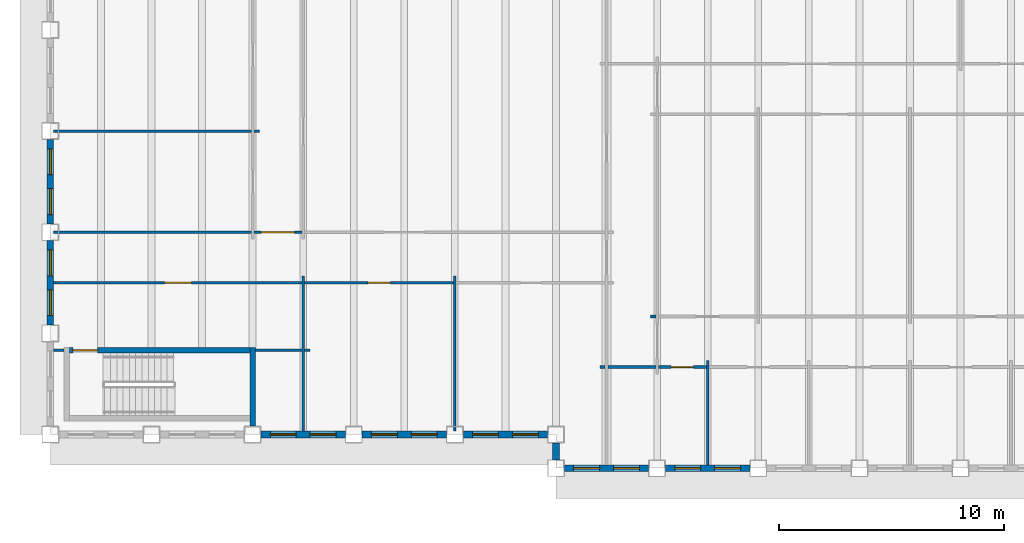
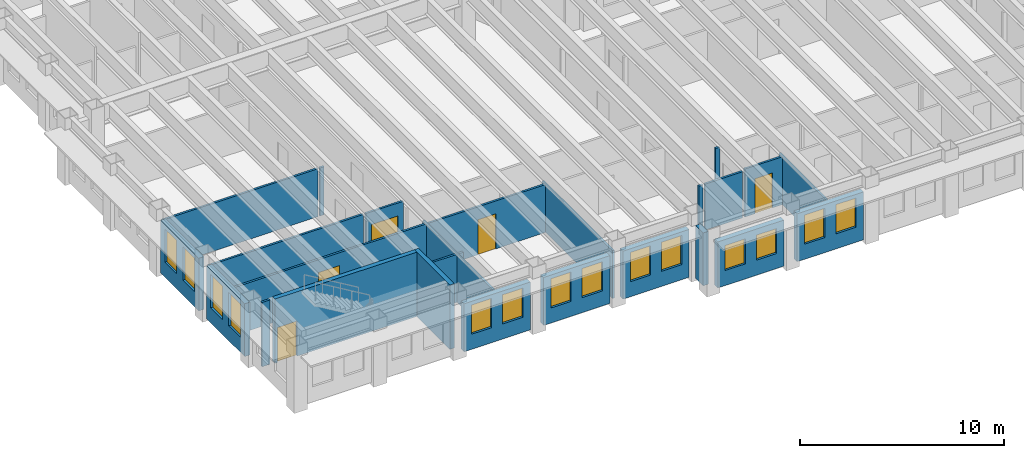
# One storey, part 3 of 16: 26 walls, 14 windows, 5 doors, 19 openings.
"""IFC4 building model written with IfcOpenShell, lengths in metres."""

from ifc_helpers import new_model, si_unit, direction, frame, frame_2d, origin, place, context, subcontext, project, spatial, rectangle, extrude, material, layer, layer_set, type_object, element, fill, save


model = new_model("IFC4")

# Units and contexts
model_context = context("Model", 3, precision=1e-05, world=origin(), true_north=direction((0.0, 1.0)))
body_context = subcontext(model_context, "Body", "Model", "MODEL_VIEW")
ifc_project = project(units=[si_unit("LENGTHUNIT", "METRE"), si_unit("AREAUNIT", "SQUARE_METRE"), si_unit("VOLUMEUNIT", "CUBIC_METRE"), si_unit("PLANEANGLEUNIT", "RADIAN"), si_unit("MASSUNIT", "GRAM", prefix="KILO")], contexts=[model_context])

# Site, building, storey
site_placement = place(None, origin())
site = spatial("IfcSite", under=ifc_project, at=site_placement, CompositionType="ELEMENT")
building_placement = place(site_placement, origin())
building = spatial("IfcBuilding", under=site, at=building_placement, Name="Sennacour Bend Tower", CompositionType="ELEMENT")
storey_placement = place(building_placement, frame((0.0, 0.0, 223.0)))
storey = spatial("IfcBuildingStorey", under=building, at=storey_placement, Name="L51", CompositionType="ELEMENT", Elevation=223.0)

# Walls
ifc_material_1 = material(Name="Plasterboard partition on steel studs", Category="steel")
ifc_layer_1 = layer(ifc_material_1, 0.1201171875, Name="Plasterboard partition on steel studs", Category="steel")
ifc_layer_set_1 = layer_set([ifc_layer_1], Name="Plasterboard partition on steel studs")
wall_type_1 = type_object("IfcWallType", Name="Partition 120", PredefinedType="PARTITIONING", material=ifc_layer_set_1)
for number, where, z_axis, x_axis, name in (
    (1, (11.25, 0.14990234375, 0.0), (0.0, 0.0, 1.0), (0.0, 1.0, 0.0), "P-L51-W014a"),
    (2, (18.0, 0.14990234375, 0.0), (0.0, 0.0, 1.0), (0.0, 1.0, 0.0), "P-L51-W020a"),
):
    element("IfcWall", number, at=place(storey_placement, frame(where, z_axis=z_axis, x_axis=x_axis)), inside=storey, type_object=wall_type_1, Name=name, PredefinedType="PARTITIONING", context=body_context, shape_type="SweptSolid", body=[
        extrude(rectangle(XDim=6.900146484375, YDim=0.1201171875, at=frame_2d((3.4501953125, 0.0))), origin(), (0.0, 0.0, 1.0), 2.8701171875),
    ])
wall_1_placement = place(storey_placement, frame((29.25, -1.35009765625, 0.0), z_axis=(0.0, 0.0, 1.0), x_axis=(0.0, 1.0, 0.0)))
element("IfcWall", 3, at=wall_1_placement, inside=storey, type_object=wall_type_1, Name="P-L51-W028a", PredefinedType="PARTITIONING", context=body_context, shape_type="SweptSolid", body=[
    extrude(rectangle(XDim=4.650146484375, YDim=0.1201171875, at=frame_2d((2.3251953125, 0.0))), origin(), (0.0, 0.0, 1.0), 2.8701171875),
])
wall_2_placement = place(storey_placement, frame((24.449951171875, 3.0, 0.0), z_axis=(0.0, 0.0, 1.0), x_axis=(1.0, 0.0, 0.0)))
element("IfcWall", 4, at=wall_2_placement, inside=storey, type_object=wall_type_1, Name="P-L51-W054aa", PredefinedType="PARTITIONING", context=body_context, shape_type="SweptSolid", body=[
    extrude(rectangle(XDim=0.239990234375, YDim=0.1201171875, at=frame_2d((0.1201171875, 0.0))), origin(), (0.0, 0.0, 1.0), 2.760009765625),
])
wall_3_placement = place(storey_placement, frame((24.81005859375, 3.0, 0.0), z_axis=(0.0, 0.0, 1.0), x_axis=(1.0, 0.0, 0.0)))
element("IfcWall", 5, at=wall_3_placement, inside=storey, type_object=wall_type_1, Name="P-L51-W054ab", PredefinedType="PARTITIONING", context=body_context, shape_type="SweptSolid", body=[
    extrude(rectangle(XDim=2.1298828125, YDim=0.1201171875, at=frame_2d((1.06494140625, 0.0))), origin(), (0.0, 0.0, 1.0), 2.760009765625),
])

# Wall, opening, door
wall_4_placement = place(storey_placement, frame((27.06005859375, 3.0, 0.0), z_axis=(0.0, 0.0, 1.0), x_axis=(1.0, 0.0, 0.0)))
wall_4 = element("IfcWall", 6, at=wall_4_placement, inside=storey, type_object=wall_type_1, Name="P-L51-W054ac", PredefinedType="PARTITIONING", context=body_context, shape_type="SweptSolid", body=[
    extrude(rectangle(XDim=2.1298828125, YDim=0.1201171875, at=frame_2d((1.06494140625, 0.0))), origin(), (0.0, 0.0, 1.0), 2.8701171875),
])
opening_1_placement = place(wall_4_placement, frame((0.56494140625, 0.0, 0.0)))
opening_1 = element("IfcOpeningElement", 7, at=opening_1_placement, cuts=wall_4, Name="Opening OD2", PredefinedType="OPENING", context=body_context, shape_type="SweptSolid", body=[
    extrude(rectangle(XDim=1.0, YDim=2.10009765625, at=frame_2d((0.5, 1.050048828125))), frame((0.0, 0.070068359375, 0.0), z_axis=(0.0, -1.0, 0.0), x_axis=(1.0, 0.0, 0.0)), (0.0, 0.0, 1.0), 0.14013671875),
])
ifc_material_2 = material(Name="Timber", Category="wood")
door_type_1 = type_object("IfcDoorType", Name="DR-OFFICE-1000", OperationType="NOTDEFINED", PredefinedType="DOOR", material=ifc_material_2)
door_1_placement = place(opening_1_placement, origin())
door_1 = element("IfcDoor", 8, at=door_1_placement, inside=storey, type_object=door_type_1, Name="Door", OperationType="SINGLE_SWING_LEFT", OverallHeight=2.10009765625, OverallWidth=1.0, PredefinedType="DOOR", context=body_context, shape_type="SweptSolid", body=[
    extrude(rectangle(XDim=1.0, YDim=2.10009765625, at=frame_2d((0.5, 1.050048828125))), frame((0.0, 0.02490234375, 0.0), z_axis=(0.0, -1.0, 0.0), x_axis=(1.0, 0.0, 0.0)), (0.0, 0.0, 1.0), 0.050048828125),
])
fill(opening_1, door_1)

# Walls
wall_5_placement = place(storey_placement, frame((0.14990234375, 3.75, 0.0), z_axis=(0.0, 0.0, 1.0), x_axis=(1.0, 0.0, 0.0)))
element("IfcWall", 9, at=wall_5_placement, inside=storey, type_object=wall_type_1, Name="P-L51-W055a", PredefinedType="PARTITIONING", context=body_context, shape_type="SweptSolid", body=[
    extrude(rectangle(XDim=0.4501953125, YDim=0.1201171875, at=frame_2d((0.22509765625, 0.0))), origin(), (0.0, 0.0, 1.0), 3.85009765625),
])
wall_6_placement = place(storey_placement, frame((9.125, 3.75, 0.0), z_axis=(0.0, 0.0, 1.0), x_axis=(1.0, 0.0, 0.0)))
element("IfcWall", 10, at=wall_6_placement, inside=storey, type_object=wall_type_1, Name="P-L51-W057aa", PredefinedType="PARTITIONING", context=body_context, shape_type="SweptSolid", body=[
    extrude(rectangle(XDim=2.06494140625, YDim=0.1201171875, at=frame_2d((1.032470703125, 0.0))), origin(), (0.0, 0.0, 1.0), 2.8701171875),
])
for number, where, z_axis, x_axis, name in (
    (11, (11.31005859375, 3.75, 0.0), (0.0, 0.0, 1.0), (1.0, 0.0, 0.0), "P-L51-W057ab"),
    (12, (26.699951171875, 5.25, 0.0), (0.0, 0.0, 1.0), (1.0, 0.0, 0.0), "P-L51-W060aa"),
):
    element("IfcWall", number, at=place(storey_placement, frame(where, z_axis=z_axis, x_axis=x_axis)), inside=storey, type_object=wall_type_1, Name=name, PredefinedType="PARTITIONING", context=body_context, shape_type="SweptSolid", body=[
        extrude(rectangle(XDim=0.239990234375, YDim=0.1201171875, at=frame_2d((0.1201171875, 0.0))), origin(), (0.0, 0.0, 1.0), 2.8701171875),
    ])

# Wall, opening, door
wall_7_placement = place(storey_placement, frame((11.31005859375, 6.75, 0.0), z_axis=(0.0, 0.0, 1.0), x_axis=(1.0, 0.0, 0.0)))
wall_7 = element("IfcWall", 13, at=wall_7_placement, inside=storey, type_object=wall_type_1, Name="P-L51-W062ab", PredefinedType="PARTITIONING", context=body_context, shape_type="SweptSolid", body=[
    extrude(rectangle(XDim=6.6298828125, YDim=0.1201171875, at=frame_2d((3.31494140625, 0.0))), origin(), (0.0, 0.0, 1.0), 2.8701171875),
])
opening_2_placement = place(wall_7_placement, frame((2.81494140625, 0.0, 0.0)))
opening_2 = element("IfcOpeningElement", 14, at=opening_2_placement, cuts=wall_7, Name="Opening OD2", PredefinedType="OPENING", context=body_context, shape_type="SweptSolid", body=[
    extrude(rectangle(XDim=1.0, YDim=2.10009765625, at=frame_2d((0.5, 1.050048828125))), frame((0.0, 0.070068359375, 0.0), z_axis=(0.0, -1.0, 0.0), x_axis=(1.0, 0.0, 0.0)), (0.0, 0.0, 1.0), 0.14013671875),
])
door_2_placement = place(opening_2_placement, origin())
door_2 = element("IfcDoor", 15, at=door_2_placement, inside=storey, type_object=door_type_1, Name="Door", OperationType="SINGLE_SWING_LEFT", OverallHeight=2.10009765625, OverallWidth=1.0, PredefinedType="DOOR", context=body_context, shape_type="SweptSolid", body=[
    extrude(rectangle(XDim=1.0, YDim=2.10009765625, at=frame_2d((0.5, 1.050048828125))), frame((0.0, 0.02490234375, 0.0), z_axis=(0.0, -1.0, 0.0), x_axis=(1.0, 0.0, 0.0)), (0.0, 0.0, 1.0), 0.050048828125),
])
fill(opening_2, door_2)

# Walls
for number, where, z_axis, x_axis, name in (
    (16, (0.14990234375, 9.0, 0.0), (0.0, 0.0, 1.0), (1.0, 0.0, 0.0), "P-L51-W064aa"),
    (17, (0.14990234375, 13.5, 0.0), (0.0, 0.0, 1.0), (1.0, 0.0, 0.0), "P-L51-W070aa"),
):
    element("IfcWall", number, at=place(storey_placement, frame(where, z_axis=z_axis, x_axis=x_axis)), inside=storey, type_object=wall_type_1, Name=name, PredefinedType="PARTITIONING", context=body_context, shape_type="SweptSolid", body=[
        extrude(rectangle(XDim=8.7900390625, YDim=0.1201171875, at=frame_2d((4.39501953125, 0.0))), origin(), (0.0, 0.0, 1.0), 2.8701171875),
    ])
wall_8_placement = place(storey_placement, frame((9.06005859375, 13.5, 0.0), z_axis=(0.0, 0.0, 1.0), x_axis=(1.0, 0.0, 0.0)))
element("IfcWall", 18, at=wall_8_placement, inside=storey, type_object=wall_type_1, Name="P-L51-W070ab", PredefinedType="PARTITIONING", context=body_context, shape_type="SweptSolid", body=[
    extrude(rectangle(XDim=0.239990234375, YDim=0.1201171875, at=frame_2d((0.1201171875, 0.0))), origin(), (0.0, 0.0, 1.0), 2.8701171875),
])

# Wall, opening, door
ifc_layer_2 = layer(ifc_material_1, 0.1201171875, Name="Plasterboard partition on steel studs", Category="steel")
ifc_layer_set_2 = layer_set([ifc_layer_2], Name="Plasterboard partition on steel studs")
wall_type_2 = type_object("IfcWallType", Name="Partition 120 EI 30", PredefinedType="PARTITIONING", material=ifc_layer_set_2)
wall_9_placement = place(storey_placement, frame((0.14990234375, 6.75, 0.0), z_axis=(0.0, 0.0, 1.0), x_axis=(1.0, 0.0, 0.0)))
wall_9 = element("IfcWall", 19, at=wall_9_placement, inside=storey, type_object=wall_type_2, Name="P-L51-W062aa", PredefinedType="PARTITIONING", context=body_context, shape_type="SweptSolid", body=[
    extrude(rectangle(XDim=11.0400390625, YDim=0.1201171875, at=frame_2d((5.52001953125, 0.0))), origin(), (0.0, 0.0, 1.0), 2.8701171875),
])
opening_3_placement = place(wall_9_placement, frame((4.93017578125, 0.0, 0.0)))
opening_3 = element("IfcOpeningElement", 20, at=opening_3_placement, cuts=wall_9, Name="Opening KD2", PredefinedType="OPENING", context=body_context, shape_type="SweptSolid", body=[
    extrude(rectangle(XDim=1.199951171875, YDim=2.10009765625, at=frame_2d((0.60009765625, 1.050048828125))), frame((0.0, 0.070068359375, 0.0), z_axis=(0.0, -1.0, 0.0), x_axis=(1.0, 0.0, 0.0)), (0.0, 0.0, 1.0), 0.14013671875),
])
ifc_material_3 = material(Name="Painted steel", Category="steel")
door_type_2 = type_object("IfcDoorType", Name="DR-CORRIDOR-1200", OperationType="NOTDEFINED", PredefinedType="DOOR", material=ifc_material_3)
door_3_placement = place(opening_3_placement, origin())
door_3 = element("IfcDoor", 21, at=door_3_placement, inside=storey, type_object=door_type_2, Name="Door", OperationType="SINGLE_SWING_LEFT", OverallHeight=2.10009765625, OverallWidth=1.199951171875, PredefinedType="DOOR", context=body_context, shape_type="SweptSolid", body=[
    extrude(rectangle(XDim=1.199951171875, YDim=2.10009765625, at=frame_2d((0.60009765625, 1.050048828125))), frame((0.0, 0.02490234375, 0.0), z_axis=(0.0, -1.0, 0.0), x_axis=(1.0, 0.0, 0.0)), (0.0, 0.0, 1.0), 0.050048828125),
])
fill(opening_3, door_3)

wall_10_placement = place(storey_placement, frame((9.06005859375, 9.0, 0.0), z_axis=(0.0, 0.0, 1.0), x_axis=(1.0, 0.0, 0.0)))
wall_10 = element("IfcWall", 22, at=wall_10_placement, inside=storey, type_object=wall_type_2, Name="P-L51-W064ab", PredefinedType="PARTITIONING", context=body_context, shape_type="SweptSolid", body=[
    extrude(rectangle(XDim=2.1298828125, YDim=0.1201171875, at=frame_2d((1.06494140625, 0.0))), origin(), (0.0, 0.0, 1.0), 2.8701171875),
])
opening_4_placement = place(wall_10_placement, frame((0.31494140625, 0.0, 0.0)))
opening_4 = element("IfcOpeningElement", 23, at=opening_4_placement, cuts=wall_10, Name="Opening KD", PredefinedType="OPENING", context=body_context, shape_type="SweptSolid", body=[
    extrude(rectangle(XDim=1.5, YDim=2.10009765625, at=frame_2d((0.75, 1.050048828125))), frame((0.0, 0.070068359375, 0.0), z_axis=(0.0, -1.0, 0.0), x_axis=(1.0, 0.0, 0.0)), (0.0, 0.0, 1.0), 0.14013671875),
])
door_type_3 = type_object("IfcDoorType", Name="DR-CORRIDOR-1500", OperationType="NOTDEFINED", PredefinedType="DOOR", material=ifc_material_3)
door_4_placement = place(opening_4_placement, origin())
door_4 = element("IfcDoor", 24, at=door_4_placement, inside=storey, type_object=door_type_3, Name="Door", OperationType="SINGLE_SWING_LEFT", OverallHeight=2.10009765625, OverallWidth=1.5, PredefinedType="DOOR", context=body_context, shape_type="SweptSolid", body=[
    extrude(rectangle(XDim=1.5, YDim=2.10009765625, at=frame_2d((0.75, 1.050048828125))), frame((0.0, 0.02490234375, 0.0), z_axis=(0.0, -1.0, 0.0), x_axis=(1.0, 0.0, 0.0)), (0.0, 0.0, 1.0), 0.050048828125),
])
fill(opening_4, door_4)

# Wall, openings, windows
ifc_material_4 = material(Name="Warm limestone cladding", Category="masonry")
ifc_layer_3 = layer(ifc_material_4, 0.050048828125, Name="Warm limestone cladding", Category="masonry")
ifc_material_5 = material(Name="Precast concrete C40/50", Category="concrete")
ifc_layer_4 = layer(ifc_material_5, 0.25, Name="Precast concrete C40/50", Category="concrete")
ifc_layer_set_3 = layer_set([ifc_layer_3, ifc_layer_4], Name="Precast concrete C40/50 with limestone cladding")
wall_type_3 = type_object("IfcWallType", Name="STONE-CLAD PRECAST SPANDREL 300", PredefinedType="STANDARD", material=ifc_layer_set_3)
wall_11_placement = place(storey_placement, frame((22.875, -1.5, 0.0), z_axis=(0.0, 0.0, 1.0), x_axis=(1.0, 0.0, 0.0)))
wall_11 = element("IfcWall", 25, at=wall_11_placement, inside=storey, type_object=wall_type_3, Name="Stone spandrel and pier wall L51 00.00", PredefinedType="STANDARD", context=body_context, shape_type="SweptSolid", body=[
    extrude(rectangle(XDim=3.75, YDim=0.300048828125, at=frame_2d((1.875, 0.0))), origin(), (0.0, 0.0, 1.0), 2.760009765625),
])
opening_5_placement = place(wall_11_placement, frame((0.41259765625, 0.0, 0.89990234375)))
opening_5 = element("IfcOpeningElement", 26, at=opening_5_placement, cuts=wall_11, Name="Opening W22", PredefinedType="OPENING", context=body_context, shape_type="SweptSolid", body=[
    extrude(rectangle(XDim=1.14990234375, YDim=1.5, at=frame_2d((0.574951171875, 0.75))), frame((0.0, 0.16015625, 0.0), z_axis=(0.0, -1.0, 0.0), x_axis=(1.0, 0.0, 0.0)), (0.0, 0.0, 1.0), 0.320068359375),
])
opening_6_placement = place(wall_11_placement, frame((2.1875, 0.0, 0.89990234375)))
opening_6 = element("IfcOpeningElement", 27, at=opening_6_placement, cuts=wall_11, Name="Opening W22", PredefinedType="OPENING", context=body_context, shape_type="SweptSolid", body=[
    extrude(rectangle(XDim=1.14990234375, YDim=1.5, at=frame_2d((0.574951171875, 0.75))), frame((0.0, 0.16015625, 0.0), z_axis=(0.0, -1.0, 0.0), x_axis=(1.0, 0.0, 0.0)), (0.0, 0.0, 1.0), 0.320068359375),
])
ifc_material_6 = material(Name="Clear low-emissivity glass", Category="glass")
window_type_1 = type_object("IfcWindowType", Name="WIN-RIBBON-1150x1500", PartitioningType="SINGLE_PANEL", PredefinedType="WINDOW", material=ifc_material_6)
window_1_placement = place(opening_5_placement, origin())
window_1 = element("IfcWindow", 28, at=window_1_placement, inside=storey, type_object=window_type_1, Name="Ribbon window L51 00.00.0", OverallHeight=1.5, OverallWidth=1.14990234375, PartitioningType="SINGLE_PANEL", PredefinedType="WINDOW", context=body_context, shape_type="SweptSolid", body=[
    extrude(rectangle(XDim=1.14990234375, YDim=1.5, at=frame_2d((0.574951171875, 0.75))), frame((0.0, 0.030029296875, 0.0), z_axis=(0.0, -1.0, 0.0), x_axis=(1.0, 0.0, 0.0)), (0.0, 0.0, 1.0), 0.06005859375),
])
fill(opening_5, window_1)
window_2_placement = place(opening_6_placement, origin())
window_2 = element("IfcWindow", 29, at=window_2_placement, inside=storey, type_object=window_type_1, Name="Ribbon window L51 00.00.1", OverallHeight=1.5, OverallWidth=1.14990234375, PartitioningType="SINGLE_PANEL", PredefinedType="WINDOW", context=body_context, shape_type="SweptSolid", body=[
    extrude(rectangle(XDim=1.14990234375, YDim=1.5, at=frame_2d((0.574951171875, 0.75))), frame((0.0, 0.030029296875, 0.0), z_axis=(0.0, -1.0, 0.0), x_axis=(1.0, 0.0, 0.0)), (0.0, 0.0, 1.0), 0.06005859375),
])
fill(opening_6, window_2)

wall_12_placement = place(storey_placement, frame((27.375, -1.5, 0.0), z_axis=(0.0, 0.0, 1.0), x_axis=(1.0, 0.0, 0.0)))
wall_12 = element("IfcWall", 30, at=wall_12_placement, inside=storey, type_object=wall_type_3, Name="Stone spandrel and pier wall L51 00.01", PredefinedType="STANDARD", context=body_context, shape_type="SweptSolid", body=[
    extrude(rectangle(XDim=3.75, YDim=0.300048828125, at=frame_2d((1.875, 0.0))), origin(), (0.0, 0.0, 1.0), 2.8701171875),
])
opening_7_placement = place(wall_12_placement, frame((0.41259765625, 0.0, 0.89990234375)))
opening_7 = element("IfcOpeningElement", 31, at=opening_7_placement, cuts=wall_12, Name="Opening W23", PredefinedType="OPENING", context=body_context, shape_type="SweptSolid", body=[
    extrude(rectangle(XDim=1.14990234375, YDim=1.75, at=frame_2d((0.574951171875, 0.875))), frame((0.0, 0.16015625, 0.0), z_axis=(0.0, -1.0, 0.0), x_axis=(1.0, 0.0, 0.0)), (0.0, 0.0, 1.0), 0.320068359375),
])
opening_8_placement = place(wall_12_placement, frame((2.1875, 0.0, 0.89990234375)))
opening_8 = element("IfcOpeningElement", 32, at=opening_8_placement, cuts=wall_12, Name="Opening W23", PredefinedType="OPENING", context=body_context, shape_type="SweptSolid", body=[
    extrude(rectangle(XDim=1.14990234375, YDim=1.75, at=frame_2d((0.574951171875, 0.875))), frame((0.0, 0.16015625, 0.0), z_axis=(0.0, -1.0, 0.0), x_axis=(1.0, 0.0, 0.0)), (0.0, 0.0, 1.0), 0.320068359375),
])
window_type_2 = type_object("IfcWindowType", Name="WIN-RIBBON-1150x1750", PartitioningType="SINGLE_PANEL", PredefinedType="WINDOW", material=ifc_material_6)
window_3_placement = place(opening_7_placement, origin())
window_3 = element("IfcWindow", 33, at=window_3_placement, inside=storey, type_object=window_type_2, Name="Ribbon window L51 00.01.0", OverallHeight=1.75, OverallWidth=1.14990234375, PartitioningType="SINGLE_PANEL", PredefinedType="WINDOW", context=body_context, shape_type="SweptSolid", body=[
    extrude(rectangle(XDim=1.14990234375, YDim=1.75, at=frame_2d((0.574951171875, 0.875))), frame((0.0, 0.030029296875, 0.0), z_axis=(0.0, -1.0, 0.0), x_axis=(1.0, 0.0, 0.0)), (0.0, 0.0, 1.0), 0.06005859375),
])
fill(opening_7, window_3)
window_4_placement = place(opening_8_placement, origin())
window_4 = element("IfcWindow", 34, at=window_4_placement, inside=storey, type_object=window_type_2, Name="Ribbon window L51 00.01.1", OverallHeight=1.75, OverallWidth=1.14990234375, PartitioningType="SINGLE_PANEL", PredefinedType="WINDOW", context=body_context, shape_type="SweptSolid", body=[
    extrude(rectangle(XDim=1.14990234375, YDim=1.75, at=frame_2d((0.574951171875, 0.875))), frame((0.0, 0.030029296875, 0.0), z_axis=(0.0, -1.0, 0.0), x_axis=(1.0, 0.0, 0.0)), (0.0, 0.0, 1.0), 0.06005859375),
])
fill(opening_8, window_4)

wall_13_placement = place(storey_placement, frame((0.0, 13.125, 0.0), z_axis=(0.0, 0.0, 1.0), x_axis=(0.0, -1.0, 0.0)))
wall_13 = element("IfcWall", 35, at=wall_13_placement, inside=storey, type_object=wall_type_3, Name="Stone spandrel and pier wall L51 21.02", PredefinedType="STANDARD", context=body_context, shape_type="SweptSolid", body=[
    extrude(rectangle(XDim=3.75, YDim=0.300048828125, at=frame_2d((1.875, 0.0))), origin(), (0.0, 0.0, 1.0), 3.156982421875),
])
opening_9_placement = place(wall_13_placement, frame((0.41259765625, 0.0, 0.89990234375)))
opening_9 = element("IfcOpeningElement", 36, at=opening_9_placement, cuts=wall_13, Name="Opening W24", PredefinedType="OPENING", context=body_context, shape_type="SweptSolid", body=[
    extrude(rectangle(XDim=1.14990234375, YDim=2.0, at=frame_2d((0.574951171875, 1.0))), frame((0.0, 0.16015625, 0.0), z_axis=(0.0, -1.0, 0.0), x_axis=(1.0, 0.0, 0.0)), (0.0, 0.0, 1.0), 0.320068359375),
])
opening_10_placement = place(wall_13_placement, frame((2.1875, 0.0, 0.89990234375)))
opening_10 = element("IfcOpeningElement", 37, at=opening_10_placement, cuts=wall_13, Name="Opening W24", PredefinedType="OPENING", context=body_context, shape_type="SweptSolid", body=[
    extrude(rectangle(XDim=1.14990234375, YDim=2.0, at=frame_2d((0.574951171875, 1.0))), frame((0.0, 0.16015625, 0.0), z_axis=(0.0, -1.0, 0.0), x_axis=(1.0, 0.0, 0.0)), (0.0, 0.0, 1.0), 0.320068359375),
])
window_type_3 = type_object("IfcWindowType", Name="WIN-RIBBON-1150x2000", PartitioningType="SINGLE_PANEL", PredefinedType="WINDOW", material=ifc_material_6)
window_5_placement = place(opening_9_placement, origin())
window_5 = element("IfcWindow", 38, at=window_5_placement, inside=storey, type_object=window_type_3, Name="Ribbon window L51 21.02.0", OverallHeight=2.0, OverallWidth=1.14990234375, PartitioningType="SINGLE_PANEL", PredefinedType="WINDOW", context=body_context, shape_type="SweptSolid", body=[
    extrude(rectangle(XDim=1.14990234375, YDim=2.0, at=frame_2d((0.574951171875, 1.0))), frame((0.0, 0.030029296875, 0.0), z_axis=(0.0, -1.0, 0.0), x_axis=(1.0, 0.0, 0.0)), (0.0, 0.0, 1.0), 0.06005859375),
])
fill(opening_9, window_5)
window_6_placement = place(opening_10_placement, origin())
window_6 = element("IfcWindow", 39, at=window_6_placement, inside=storey, type_object=window_type_3, Name="Ribbon window L51 21.02.1", OverallHeight=2.0, OverallWidth=1.14990234375, PartitioningType="SINGLE_PANEL", PredefinedType="WINDOW", context=body_context, shape_type="SweptSolid", body=[
    extrude(rectangle(XDim=1.14990234375, YDim=2.0, at=frame_2d((0.574951171875, 1.0))), frame((0.0, 0.030029296875, 0.0), z_axis=(0.0, -1.0, 0.0), x_axis=(1.0, 0.0, 0.0)), (0.0, 0.0, 1.0), 0.06005859375),
])
fill(opening_10, window_6)

wall_14_placement = place(storey_placement, frame((0.0, 8.625, 0.0), z_axis=(0.0, 0.0, 1.0), x_axis=(0.0, -1.0, 0.0)))
wall_14 = element("IfcWall", 40, at=wall_14_placement, inside=storey, type_object=wall_type_3, Name="Stone spandrel and pier wall L51 21.03", PredefinedType="STANDARD", context=body_context, shape_type="SweptSolid", body=[
    extrude(rectangle(XDim=3.75, YDim=0.300048828125, at=frame_2d((1.875, 0.0))), origin(), (0.0, 0.0, 1.0), 3.156982421875),
])
opening_11_placement = place(wall_14_placement, frame((0.41259765625, 0.0, 0.89990234375)))
opening_11 = element("IfcOpeningElement", 41, at=opening_11_placement, cuts=wall_14, Name="Opening W24", PredefinedType="OPENING", context=body_context, shape_type="SweptSolid", body=[
    extrude(rectangle(XDim=1.14990234375, YDim=2.0, at=frame_2d((0.574951171875, 1.0))), frame((0.0, 0.16015625, 0.0), z_axis=(0.0, -1.0, 0.0), x_axis=(1.0, 0.0, 0.0)), (0.0, 0.0, 1.0), 0.320068359375),
])
opening_12_placement = place(wall_14_placement, frame((2.1875, 0.0, 0.89990234375)))
opening_12 = element("IfcOpeningElement", 42, at=opening_12_placement, cuts=wall_14, Name="Opening W24", PredefinedType="OPENING", context=body_context, shape_type="SweptSolid", body=[
    extrude(rectangle(XDim=1.14990234375, YDim=2.0, at=frame_2d((0.574951171875, 1.0))), frame((0.0, 0.16015625, 0.0), z_axis=(0.0, -1.0, 0.0), x_axis=(1.0, 0.0, 0.0)), (0.0, 0.0, 1.0), 0.320068359375),
])
window_7_placement = place(opening_11_placement, origin())
window_7 = element("IfcWindow", 43, at=window_7_placement, inside=storey, type_object=window_type_3, Name="Ribbon window L51 21.03.0", OverallHeight=2.0, OverallWidth=1.14990234375, PartitioningType="SINGLE_PANEL", PredefinedType="WINDOW", context=body_context, shape_type="SweptSolid", body=[
    extrude(rectangle(XDim=1.14990234375, YDim=2.0, at=frame_2d((0.574951171875, 1.0))), frame((0.0, 0.030029296875, 0.0), z_axis=(0.0, -1.0, 0.0), x_axis=(1.0, 0.0, 0.0)), (0.0, 0.0, 1.0), 0.06005859375),
])
fill(opening_11, window_7)
window_8_placement = place(opening_12_placement, origin())
window_8 = element("IfcWindow", 44, at=window_8_placement, inside=storey, type_object=window_type_3, Name="Ribbon window L51 21.03.1", OverallHeight=2.0, OverallWidth=1.14990234375, PartitioningType="SINGLE_PANEL", PredefinedType="WINDOW", context=body_context, shape_type="SweptSolid", body=[
    extrude(rectangle(XDim=1.14990234375, YDim=2.0, at=frame_2d((0.574951171875, 1.0))), frame((0.0, 0.030029296875, 0.0), z_axis=(0.0, -1.0, 0.0), x_axis=(1.0, 0.0, 0.0)), (0.0, 0.0, 1.0), 0.06005859375),
])
fill(opening_12, window_8)

wall_15_placement = place(storey_placement, frame((9.375, 0.0, 0.0), z_axis=(0.0, 0.0, 1.0), x_axis=(1.0, 0.0, 0.0)))
wall_15 = element("IfcWall", 45, at=wall_15_placement, inside=storey, type_object=wall_type_3, Name="Stone spandrel and pier wall L51 22.02", PredefinedType="STANDARD", context=body_context, shape_type="SweptSolid", body=[
    extrude(rectangle(XDim=3.75, YDim=0.300048828125, at=frame_2d((1.875, 0.0))), origin(), (0.0, 0.0, 1.0), 2.8701171875),
])
opening_13_placement = place(wall_15_placement, frame((0.41259765625, 0.0, 0.89990234375)))
opening_13 = element("IfcOpeningElement", 46, at=opening_13_placement, cuts=wall_15, Name="Opening W23", PredefinedType="OPENING", context=body_context, shape_type="SweptSolid", body=[
    extrude(rectangle(XDim=1.14990234375, YDim=1.75, at=frame_2d((0.574951171875, 0.875))), frame((0.0, 0.16015625, 0.0), z_axis=(0.0, -1.0, 0.0), x_axis=(1.0, 0.0, 0.0)), (0.0, 0.0, 1.0), 0.320068359375),
])
opening_14_placement = place(wall_15_placement, frame((2.1875, 0.0, 0.89990234375)))
opening_14 = element("IfcOpeningElement", 47, at=opening_14_placement, cuts=wall_15, Name="Opening W23", PredefinedType="OPENING", context=body_context, shape_type="SweptSolid", body=[
    extrude(rectangle(XDim=1.14990234375, YDim=1.75, at=frame_2d((0.574951171875, 0.875))), frame((0.0, 0.16015625, 0.0), z_axis=(0.0, -1.0, 0.0), x_axis=(1.0, 0.0, 0.0)), (0.0, 0.0, 1.0), 0.320068359375),
])
window_9_placement = place(opening_13_placement, origin())
window_9 = element("IfcWindow", 48, at=window_9_placement, inside=storey, type_object=window_type_2, Name="Ribbon window L51 22.02.0", OverallHeight=1.75, OverallWidth=1.14990234375, PartitioningType="SINGLE_PANEL", PredefinedType="WINDOW", context=body_context, shape_type="SweptSolid", body=[
    extrude(rectangle(XDim=1.14990234375, YDim=1.75, at=frame_2d((0.574951171875, 0.875))), frame((0.0, 0.030029296875, 0.0), z_axis=(0.0, -1.0, 0.0), x_axis=(1.0, 0.0, 0.0)), (0.0, 0.0, 1.0), 0.06005859375),
])
fill(opening_13, window_9)
window_10_placement = place(opening_14_placement, origin())
window_10 = element("IfcWindow", 49, at=window_10_placement, inside=storey, type_object=window_type_2, Name="Ribbon window L51 22.02.1", OverallHeight=1.75, OverallWidth=1.14990234375, PartitioningType="SINGLE_PANEL", PredefinedType="WINDOW", context=body_context, shape_type="SweptSolid", body=[
    extrude(rectangle(XDim=1.14990234375, YDim=1.75, at=frame_2d((0.574951171875, 0.875))), frame((0.0, 0.030029296875, 0.0), z_axis=(0.0, -1.0, 0.0), x_axis=(1.0, 0.0, 0.0)), (0.0, 0.0, 1.0), 0.06005859375),
])
fill(opening_14, window_10)

wall_16_placement = place(storey_placement, frame((13.875, 0.0, 0.0), z_axis=(0.0, 0.0, 1.0), x_axis=(1.0, 0.0, 0.0)))
wall_16 = element("IfcWall", 50, at=wall_16_placement, inside=storey, type_object=wall_type_3, Name="Stone spandrel and pier wall L51 22.03", PredefinedType="STANDARD", context=body_context, shape_type="SweptSolid", body=[
    extrude(rectangle(XDim=3.75, YDim=0.300048828125, at=frame_2d((1.875, 0.0))), origin(), (0.0, 0.0, 1.0), 2.8701171875),
])
opening_15_placement = place(wall_16_placement, frame((0.41259765625, 0.0, 0.89990234375)))
opening_15 = element("IfcOpeningElement", 51, at=opening_15_placement, cuts=wall_16, Name="Opening W23", PredefinedType="OPENING", context=body_context, shape_type="SweptSolid", body=[
    extrude(rectangle(XDim=1.14990234375, YDim=1.75, at=frame_2d((0.574951171875, 0.875))), frame((0.0, 0.16015625, 0.0), z_axis=(0.0, -1.0, 0.0), x_axis=(1.0, 0.0, 0.0)), (0.0, 0.0, 1.0), 0.320068359375),
])
opening_16_placement = place(wall_16_placement, frame((2.1875, 0.0, 0.89990234375)))
opening_16 = element("IfcOpeningElement", 52, at=opening_16_placement, cuts=wall_16, Name="Opening W23", PredefinedType="OPENING", context=body_context, shape_type="SweptSolid", body=[
    extrude(rectangle(XDim=1.14990234375, YDim=1.75, at=frame_2d((0.574951171875, 0.875))), frame((0.0, 0.16015625, 0.0), z_axis=(0.0, -1.0, 0.0), x_axis=(1.0, 0.0, 0.0)), (0.0, 0.0, 1.0), 0.320068359375),
])
window_11_placement = place(opening_15_placement, origin())
window_11 = element("IfcWindow", 53, at=window_11_placement, inside=storey, type_object=window_type_2, Name="Ribbon window L51 22.03.0", OverallHeight=1.75, OverallWidth=1.14990234375, PartitioningType="SINGLE_PANEL", PredefinedType="WINDOW", context=body_context, shape_type="SweptSolid", body=[
    extrude(rectangle(XDim=1.14990234375, YDim=1.75, at=frame_2d((0.574951171875, 0.875))), frame((0.0, 0.030029296875, 0.0), z_axis=(0.0, -1.0, 0.0), x_axis=(1.0, 0.0, 0.0)), (0.0, 0.0, 1.0), 0.06005859375),
])
fill(opening_15, window_11)
window_12_placement = place(opening_16_placement, origin())
window_12 = element("IfcWindow", 54, at=window_12_placement, inside=storey, type_object=window_type_2, Name="Ribbon window L51 22.03.1", OverallHeight=1.75, OverallWidth=1.14990234375, PartitioningType="SINGLE_PANEL", PredefinedType="WINDOW", context=body_context, shape_type="SweptSolid", body=[
    extrude(rectangle(XDim=1.14990234375, YDim=1.75, at=frame_2d((0.574951171875, 0.875))), frame((0.0, 0.030029296875, 0.0), z_axis=(0.0, -1.0, 0.0), x_axis=(1.0, 0.0, 0.0)), (0.0, 0.0, 1.0), 0.06005859375),
])
fill(opening_16, window_12)

wall_17_placement = place(storey_placement, frame((18.375, 0.0, 0.0), z_axis=(0.0, 0.0, 1.0), x_axis=(1.0, 0.0, 0.0)))
wall_17 = element("IfcWall", 55, at=wall_17_placement, inside=storey, type_object=wall_type_3, Name="Stone spandrel and pier wall L51 22.04", PredefinedType="STANDARD", context=body_context, shape_type="SweptSolid", body=[
    extrude(rectangle(XDim=3.75, YDim=0.300048828125, at=frame_2d((1.875, 0.0))), origin(), (0.0, 0.0, 1.0), 2.8701171875),
])
opening_17_placement = place(wall_17_placement, frame((0.41259765625, 0.0, 0.89990234375)))
opening_17 = element("IfcOpeningElement", 56, at=opening_17_placement, cuts=wall_17, Name="Opening W23", PredefinedType="OPENING", context=body_context, shape_type="SweptSolid", body=[
    extrude(rectangle(XDim=1.14990234375, YDim=1.75, at=frame_2d((0.574951171875, 0.875))), frame((0.0, 0.16015625, 0.0), z_axis=(0.0, -1.0, 0.0), x_axis=(1.0, 0.0, 0.0)), (0.0, 0.0, 1.0), 0.320068359375),
])
opening_18_placement = place(wall_17_placement, frame((2.1875, 0.0, 0.89990234375)))
opening_18 = element("IfcOpeningElement", 57, at=opening_18_placement, cuts=wall_17, Name="Opening W23", PredefinedType="OPENING", context=body_context, shape_type="SweptSolid", body=[
    extrude(rectangle(XDim=1.14990234375, YDim=1.75, at=frame_2d((0.574951171875, 0.875))), frame((0.0, 0.16015625, 0.0), z_axis=(0.0, -1.0, 0.0), x_axis=(1.0, 0.0, 0.0)), (0.0, 0.0, 1.0), 0.320068359375),
])
window_13_placement = place(opening_17_placement, origin())
window_13 = element("IfcWindow", 58, at=window_13_placement, inside=storey, type_object=window_type_2, Name="Ribbon window L51 22.04.0", OverallHeight=1.75, OverallWidth=1.14990234375, PartitioningType="SINGLE_PANEL", PredefinedType="WINDOW", context=body_context, shape_type="SweptSolid", body=[
    extrude(rectangle(XDim=1.14990234375, YDim=1.75, at=frame_2d((0.574951171875, 0.875))), frame((0.0, 0.030029296875, 0.0), z_axis=(0.0, -1.0, 0.0), x_axis=(1.0, 0.0, 0.0)), (0.0, 0.0, 1.0), 0.06005859375),
])
fill(opening_17, window_13)
window_14_placement = place(opening_18_placement, origin())
window_14 = element("IfcWindow", 59, at=window_14_placement, inside=storey, type_object=window_type_2, Name="Ribbon window L51 22.04.1", OverallHeight=1.75, OverallWidth=1.14990234375, PartitioningType="SINGLE_PANEL", PredefinedType="WINDOW", context=body_context, shape_type="SweptSolid", body=[
    extrude(rectangle(XDim=1.14990234375, YDim=1.75, at=frame_2d((0.574951171875, 0.875))), frame((0.0, 0.030029296875, 0.0), z_axis=(0.0, -1.0, 0.0), x_axis=(1.0, 0.0, 0.0)), (0.0, 0.0, 1.0), 0.06005859375),
])
fill(opening_18, window_14)

# Walls
wall_18_placement = place(storey_placement, frame((22.5, -0.375, 0.0), z_axis=(0.0, 0.0, 1.0), x_axis=(0.0, -1.0, 0.0)))
element("IfcWall", 60, at=wall_18_placement, inside=storey, type_object=wall_type_3, Name="Stone spandrel and pier wall L51 23.00", PredefinedType="STANDARD", context=body_context, shape_type="SweptSolid", body=[
    extrude(rectangle(XDim=0.75, YDim=0.300048828125, at=frame_2d((0.375, 0.0))), origin(), (0.0, 0.0, 1.0), 3.156982421875),
])
ifc_material_7 = material(Name="Concrete C60/75", Category="concrete")
ifc_layer_5 = layer(ifc_material_7, 0.25, Name="Concrete C60/75", Category="concrete")
ifc_layer_set_4 = layer_set([ifc_layer_5], Name="Concrete C60/75")
wall_type_4 = type_object("IfcWallType", Name="Stair wall 250", PredefinedType="SHEAR", material=ifc_layer_set_4)
wall_19_placement = place(storey_placement, frame((9.0, 0.375, 0.0), z_axis=(0.0, 0.0, 1.0), x_axis=(0.0, 1.0, 0.0)))
element("IfcWall", 61, at=wall_19_placement, inside=storey, type_object=wall_type_4, Name="P-L51-W010", PredefinedType="SHEAR", context=body_context, shape_type="SweptSolid", body=[
    extrude(rectangle(XDim=3.5, YDim=0.25, at=frame_2d((1.75, 0.0))), origin(), (0.0, 0.0, 1.0), 3.85009765625),
])

# Wall, opening, door
wall_20_placement = place(storey_placement, frame((0.85009765625, 3.75, 0.0), z_axis=(0.0, 0.0, 1.0), x_axis=(1.0, 0.0, 0.0)))
wall_20 = element("IfcWall", 62, at=wall_20_placement, inside=storey, type_object=wall_type_4, Name="P-L51-W056", PredefinedType="SHEAR", context=body_context, shape_type="SweptSolid", body=[
    extrude(rectangle(XDim=8.02490234375, YDim=0.25, at=frame_2d((4.012451171875, 0.0))), origin(), (0.0, 0.0, 1.0), 3.85009765625),
])
opening_19_placement = place(wall_20_placement, frame((0.14990234375, 0.0, 0.0)))
opening_19 = element("IfcOpeningElement", 63, at=opening_19_placement, cuts=wall_20, Name="Opening SD", PredefinedType="OPENING", context=body_context, shape_type="SweptSolid", body=[
    extrude(rectangle(XDim=1.10009765625, YDim=2.10009765625, at=frame_2d((0.550048828125, 1.050048828125))), frame((0.0, 0.135009765625, 0.0), z_axis=(0.0, -1.0, 0.0), x_axis=(1.0, 0.0, 0.0)), (0.0, 0.0, 1.0), 0.27001953125),
])
door_type_4 = type_object("IfcDoorType", Name="DR-STAIR-1100", OperationType="NOTDEFINED", PredefinedType="DOOR", material=ifc_material_3)
door_5_placement = place(opening_19_placement, origin())
door_5 = element("IfcDoor", 64, at=door_5_placement, inside=storey, type_object=door_type_4, Name="Door", OperationType="SINGLE_SWING_LEFT", OverallHeight=2.10009765625, OverallWidth=1.10009765625, PredefinedType="DOOR", context=body_context, shape_type="SweptSolid", body=[
    extrude(rectangle(XDim=1.10009765625, YDim=2.10009765625, at=frame_2d((0.550048828125, 1.050048828125))), frame((0.0, 0.02490234375, 0.0), z_axis=(0.0, -1.0, 0.0), x_axis=(1.0, 0.0, 0.0)), (0.0, 0.0, 1.0), 0.050048828125),
])
fill(opening_19, door_5)

save(model, "model.ifc")
